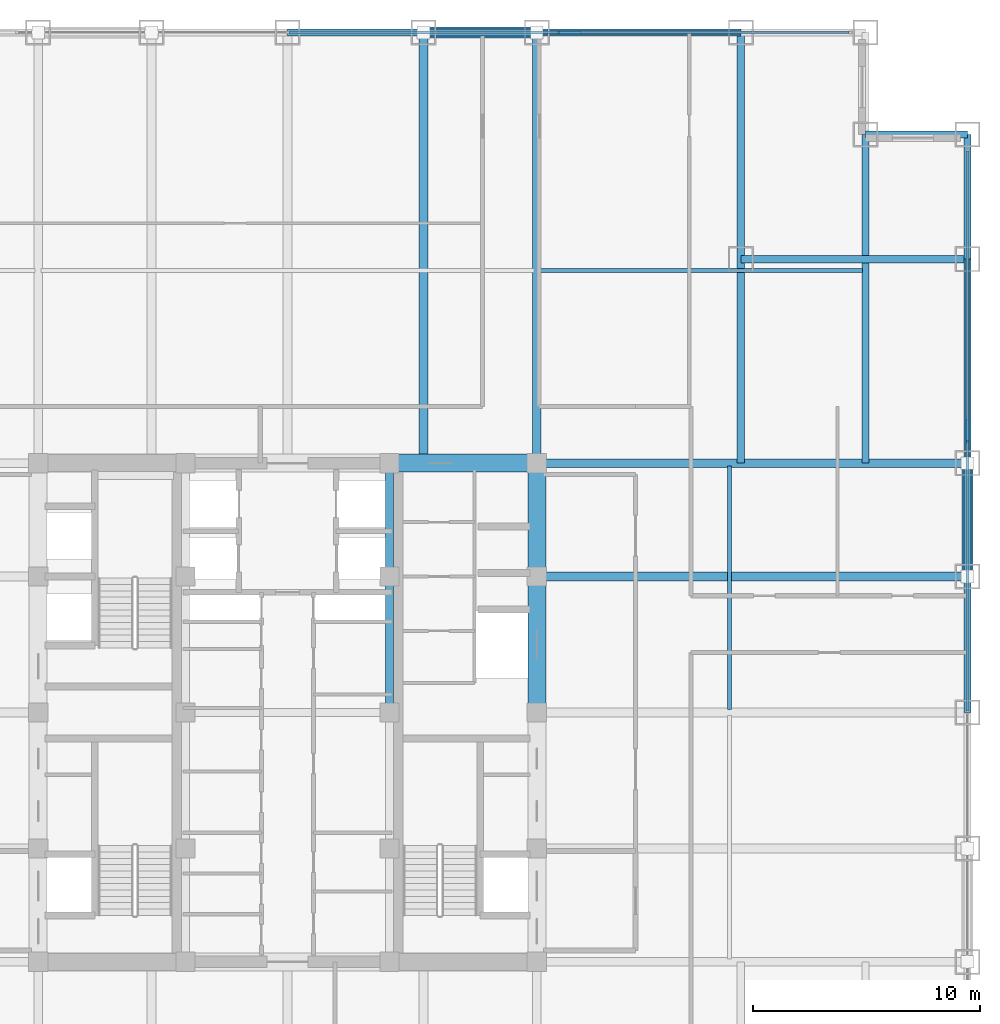
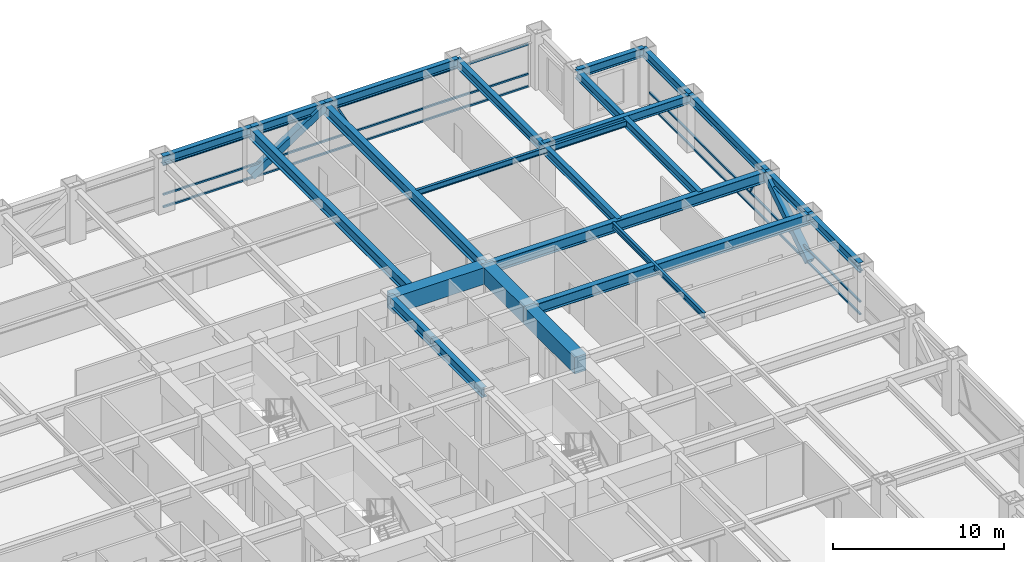
# One storey, part 17 of 25: 22 beams, 10 members, 2 elements without a shape of their own.
"""IFC4 building model written with IfcOpenShell, lengths in metres."""

import ifcopenshell
import ifcopenshell.guid

model = None  # the IFC model being written
_history = None  # IfcOwnerHistory: only IFC2X3 demands one
_inside = {}  # id of a spatial element -> (the spatial element, [elements in it])
_under = {}  # id of a project, library or spatial element -> (it, [spatial elements below it])
_declared = {}  # id of a project -> (the project, [libraries it declares])
_typed = {}  # id of a type object -> (the type object, [elements of that type])
_made_of = {}  # id of a material, layer set ... -> (it, [elements and type objects made of it])


def new_model(schema):
    """Start an empty IFC model of exactly this schema.

    Asked for "IFC4X3", IfcOpenShell would pick the latest addendum, in which some entities
    have other attributes; the version numbers below select the first issue.
    IFC2X3 requires an IfcOwnerHistory on every rooted entity: one is made here for all.
    """
    global model, _history
    if schema == "IFC4X3":
        model = ifcopenshell.file(schema_version=(4, 3, 0, 0))
    else:
        model = ifcopenshell.file(schema=schema)
    _inside.clear()
    _under.clear()
    _declared.clear()
    _typed.clear()
    _made_of.clear()
    _history = None
    if model.schema == "IFC2X3":
        org = make("IfcOrganization", Name="unknown")
        user = make(
            "IfcPersonAndOrganization",
            ThePerson=make("IfcPerson", FamilyName="unknown"),
            TheOrganization=org,
        )
        app = make(
            "IfcApplication",
            ApplicationDeveloper=org,
            Version="unknown",
            ApplicationFullName="unknown",
            ApplicationIdentifier="unknown",
        )
        _history = make(
            "IfcOwnerHistory",
            OwningUser=user,
            OwningApplication=app,
            ChangeAction="ADDED",
            CreationDate=0,
        )
    return model


def make(cls, **values):
    """One entity of the class cls with the attributes given. An attribute that is None is left unset."""
    return model.create_entity(
        cls, **{name: value for name, value in values.items() if value is not None}
    )


def rooted(cls, **values):
    """An entity with a GlobalId (a new one), such as an element, a storey or a relation."""
    return make(cls, GlobalId=ifcopenshell.guid.new(), OwnerHistory=_history, **values)


def si_unit(unit_type, name, prefix=None):
    """IfcSIUnit, for example si_unit("LENGTHUNIT", "METRE", prefix="MILLI")."""
    return make("IfcSIUnit", UnitType=unit_type, Prefix=prefix, Name=name)


def assignment(units):
    """IfcUnitAssignment: the units of a project."""
    return None if units is None else make("IfcUnitAssignment", Units=units)


def point(xyz):
    """IfcCartesianPoint."""
    return None if xyz is None else make("IfcCartesianPoint", Coordinates=xyz)


def direction(xyz):
    """IfcDirection."""
    return None if xyz is None else make("IfcDirection", DirectionRatios=xyz)


def frame(location, z_axis=None, x_axis=None):
    """IfcAxis2Placement3D, a coordinate frame: its origin and axes. An axis left out is left unset."""
    return make(
        "IfcAxis2Placement3D",
        Location=point(location),
        Axis=direction(z_axis),
        RefDirection=direction(x_axis),
    )


def frame_2d(location, x_axis=None):
    """IfcAxis2Placement2D, a coordinate frame in the plane: its origin and x axis."""
    return make(
        "IfcAxis2Placement2D", Location=point(location), RefDirection=direction(x_axis)
    )


def origin():
    """The frame at (0, 0, 0) with its axes left unset."""
    return frame((0.0, 0.0, 0.0))


def origin_2d():
    """The frame at (0, 0) in the plane with its x axis left unset."""
    return frame_2d((0.0, 0.0))


def place(relative_to, where):
    """IfcLocalPlacement: puts the frame where relative to a parent placement (None: the world)."""
    return make(
        "IfcLocalPlacement", PlacementRelTo=relative_to, RelativePlacement=where
    )


def context(
    kind, dimensions, precision=None, world=None, true_north=None, identifier=None
):
    """IfcGeometricRepresentationContext, for example the 3D "Model" context."""
    return make(
        "IfcGeometricRepresentationContext",
        ContextIdentifier=identifier,
        ContextType=kind,
        CoordinateSpaceDimension=dimensions,
        Precision=precision,
        WorldCoordinateSystem=world,
        TrueNorth=true_north,
    )


def subcontext(parent, identifier, kind, view, scale=None):
    """IfcGeometricRepresentationSubContext, for example "Body" below "Model"."""
    return make(
        "IfcGeometricRepresentationSubContext",
        ContextIdentifier=identifier,
        ContextType=kind,
        ParentContext=parent,
        TargetScale=scale,
        TargetView=view,
    )


def project(units=None, contexts=None):
    """IfcProject with its units and contexts."""
    return rooted(
        "IfcProject",
        Name="project",
        RepresentationContexts=contexts,
        UnitsInContext=assignment(units),
    )


def spatial(cls, under=None, at=None, **own):
    """A site, building, storey or space (cls), placed at a placement, below another one or the project."""
    s = rooted(cls, ObjectPlacement=at, **own)
    if under is not None:
        _under.setdefault(under.id(), (under, []))[1].append(s)
    return s


def profile(cls, at=None, kind="AREA", **sizes):
    """A parametric profile (cls). Its sizes go by their IFC names, for example OverallWidth=200.0."""
    return make(cls, ProfileType=kind, Position=at, **sizes)


def rectangle(**sizes):
    """IfcRectangleProfileDef."""
    return profile("IfcRectangleProfileDef", **sizes)


def hollow_rectangle(**sizes):
    """IfcRectangleHollowProfileDef."""
    return profile("IfcRectangleHollowProfileDef", **sizes)


def i_section(**sizes):
    """IfcIShapeProfileDef."""
    return profile("IfcIShapeProfileDef", **sizes)


def extrude(swept, where, along, depth):
    """IfcExtrudedAreaSolid: the profile swept, set in the frame where, extruded along a direction by depth."""
    return make(
        "IfcExtrudedAreaSolid",
        SweptArea=swept,
        Position=where,
        ExtrudedDirection=direction(along),
        Depth=depth,
    )


def shape(context_of_items, identifier, shape_type, items):
    """IfcShapeRepresentation: the items that make up one representation, for example the "Body"."""
    return make(
        "IfcShapeRepresentation",
        ContextOfItems=context_of_items,
        RepresentationIdentifier=identifier,
        RepresentationType=shape_type,
        Items=items,
    )


def source(mapping_origin, context_of_items, identifier, shape_type, items):
    """IfcRepresentationMap: a shape defined once, which mapped items show again and again."""
    return make(
        "IfcRepresentationMap",
        MappingOrigin=mapping_origin,
        MappedRepresentation=shape(context_of_items, identifier, shape_type, items),
    )


def transform(
    local_origin,
    x_axis=None,
    y_axis=None,
    z_axis=None,
    scale=None,
    scale2=None,
    scale3=None,
    uniform=True,
):
    """IfcCartesianTransformationOperator3D, or its non-uniform kind. x_axis, y_axis, z_axis: its Axis1, 2, 3."""
    if uniform:
        return make(
            "IfcCartesianTransformationOperator3D",
            Axis1=direction(x_axis),
            Axis2=direction(y_axis),
            LocalOrigin=point(local_origin),
            Scale=scale,
            Axis3=direction(z_axis),
        )
    return make(
        "IfcCartesianTransformationOperator3DnonUniform",
        Axis1=direction(x_axis),
        Axis2=direction(y_axis),
        LocalOrigin=point(local_origin),
        Scale=scale,
        Axis3=direction(z_axis),
        Scale2=scale2,
        Scale3=scale3,
    )


def mapped(mapping_source, mapping_target):
    """IfcMappedItem: shows the shape of a source again, moved by a transform."""
    return make(
        "IfcMappedItem", MappingSource=mapping_source, MappingTarget=mapping_target
    )


def material(Name=None, Category=None):
    """IfcMaterial."""
    return make("IfcMaterial", Name=Name, Category=Category)


def material_profile(
    of_material, cross_section, Name=None, Category=None, Priority=None
):
    """IfcMaterialProfile: a cross section and its material."""
    return make(
        "IfcMaterialProfile",
        Name=Name,
        Material=of_material,
        Profile=cross_section,
        Priority=Priority,
        Category=Category,
    )


def profile_set(profiles, Name=None, composite=None):
    """IfcMaterialProfileSet."""
    return make(
        "IfcMaterialProfileSet",
        Name=Name,
        MaterialProfiles=profiles,
        CompositeProfile=composite,
    )


def made_of(thing, what):
    """Note that an element or type object is made of a material, layer set ...; save() writes the relation."""
    if what is not None:
        _made_of.setdefault(what.id(), (what, []))[1].append(thing)
    return thing


def type_object(cls, material=None, **own):
    """A type object (cls), such as IfcWallType, which elements share."""
    return made_of(rooted(cls, **own), material)


def element(
    cls,
    number,
    at=None,
    inside=None,
    cuts=None,
    type_object=None,
    material=None,
    context=None,
    identifier="Body",
    shape_type=None,
    held_by="IfcProductDefinitionShape",
    body=None,
    shapes=None,
    **own,
):
    """One element of the class cls, such as IfcWall. Its Tag is "e" and its number.

    at: its placement. inside: the storey or other place that contains it. cuts: it is an
    opening in that element (IfcRelVoidsElement). A single representation is given by context,
    identifier, shape_type and body (its items); several are given by shapes. held_by: the class
    of the entity that holds the representations. save() writes the other relations.
    """
    e = rooted(cls, Tag="e%d" % number, ObjectPlacement=at, **own)
    if body is not None:
        shapes = [shape(context, identifier, shape_type, body)]
    if shapes is not None:
        e.Representation = make(held_by, Representations=shapes)
    if inside is not None:
        _inside.setdefault(inside.id(), (inside, []))[1].append(e)
    if cuts is not None:
        rooted(
            "IfcRelVoidsElement", RelatingBuildingElement=cuts, RelatedOpeningElement=e
        )
    if type_object is not None:
        _typed.setdefault(type_object.id(), (type_object, []))[1].append(e)
    return made_of(e, material)


def aggregate(whole, parts):
    """IfcRelAggregates: a whole, such as a stair, and the parts it consists of."""
    return rooted("IfcRelAggregates", RelatingObject=whole, RelatedObjects=parts)


def save(model, path):
    """Write the relations noted so far, then the file.

    IfcRelAggregates (storeys below a building ...), IfcRelContainedInSpatialStructure (elements
    in a storey), IfcRelDefinesByType, IfcRelAssociatesMaterial and IfcRelDeclares: one each for
    every whole, place, type object, material and project.
    """
    for whole, parts in _under.values():
        aggregate(whole, parts)
    for where, things in _inside.values():
        rooted(
            "IfcRelContainedInSpatialStructure",
            RelatedElements=things,
            RelatingStructure=where,
        )
    for kind, things in _typed.values():
        rooted("IfcRelDefinesByType", RelatedObjects=things, RelatingType=kind)
    for what, things in _made_of.values():
        rooted("IfcRelAssociatesMaterial", RelatedObjects=things, RelatingMaterial=what)
    for by, libraries in _declared.values():
        rooted("IfcRelDeclares", RelatingContext=by, RelatedDefinitions=libraries)
    model.write(path)


model = new_model("IFC4")

# Units and contexts
model_context = context("Model", 3, precision=1e-05, world=origin(), true_north=direction((0.0, 1.0)))
body_context = subcontext(model_context, "Body", "Model", "MODEL_VIEW")
ifc_project = project(units=[si_unit("LENGTHUNIT", "METRE"), si_unit("AREAUNIT", "SQUARE_METRE"), si_unit("VOLUMEUNIT", "CUBIC_METRE"), si_unit("PLANEANGLEUNIT", "RADIAN"), si_unit("MASSUNIT", "GRAM", prefix="KILO")], contexts=[model_context])

# Site, building, storey
site_placement = place(None, origin())
site = spatial("IfcSite", under=ifc_project, at=site_placement, CompositionType="ELEMENT")
building_placement = place(site_placement, origin())
building = spatial("IfcBuilding", under=site, at=building_placement, Name="Khorayat Bourse Tower", CompositionType="ELEMENT")
storey_placement = place(building_placement, frame((0.0, 0.0, 199.10009765625)))
storey = spatial("IfcBuildingStorey", under=building, at=storey_placement, Name="L46", CompositionType="ELEMENT", Elevation=199.10009765625)

# Beams
ifc_material_1 = material(Name="Concrete C72/90", Category="concrete")
ifc_material_profile_1 = material_profile(ifc_material_1, rectangle(XDim=0.800048828125, YDim=1.199951171875, at=origin_2d()), Name="RC 800x1200")
ifc_profile_set_1 = profile_set([ifc_material_profile_1], Name="Concrete C72/90")
beam_type_1 = type_object("IfcBeamType", Name="BM-COUP-1200", PredefinedType="BEAM", material=ifc_profile_set_1)
shared_shape_1 = source(origin(), body_context, "Body", "SweptSolid", [
    extrude(rectangle(XDim=0.800048828125, YDim=1.199951171875, at=origin_2d()), origin(), (0.0, 0.0, 1.0), 5.0),
])
beam_1_placement = place(storey_placement, frame((11.0, 6.0, 3.179931640625), z_axis=(0.0, 1.0, 0.0), x_axis=(-1.0, 0.0, 0.0)))
element("IfcBeam", 1, at=beam_1_placement, inside=storey, type_object=beam_type_1, Name="L46 BM-COUP-1200 BM-L46-CRX-16", PredefinedType="BEAM", context=body_context, shape_type="MappedRepresentation", body=[
    mapped(shared_shape_1, transform((0.0, 0.0, 0.0), scale=1.0)),
])
shared_shape_2 = source(origin(), body_context, "Body", "SweptSolid", [
    extrude(rectangle(XDim=0.800048828125, YDim=1.199951171875, at=origin_2d()), origin(), (0.0, 0.0, 1.0), 6.0),
])
beam_2_placement = place(storey_placement, frame((11.0, 0.0, 3.179931640625), z_axis=(0.0, 1.0, 0.0), x_axis=(-1.0, 0.0, 0.0)))
element("IfcBeam", 2, at=beam_2_placement, inside=storey, type_object=beam_type_1, Name="L46 BM-COUP-1200 BM-L46-CRX-15", PredefinedType="BEAM", context=body_context, shape_type="MappedRepresentation", body=[
    mapped(shared_shape_2, transform((0.0, 0.0, 0.0), scale=1.0)),
])
ifc_material_2 = material(Name="Steel ASTM A992 Grade 50", Category="steel")
ifc_material_profile_2 = material_profile(ifc_material_2, i_section(OverallWidth=0.35498046875, OverallDepth=0.695068359375, WebThickness=0.015380859375, FlangeThickness=0.02490234375, FilletRadius=0.01806640625, at=origin_2d()), Name="W690X217")
ifc_profile_set_2 = profile_set([ifc_material_profile_2], Name="Steel ASTM A992 Grade 50")
beam_type_2 = type_object("IfcBeamType", Name="BM-GIRD-690", PredefinedType="BEAM", material=ifc_profile_set_2)
shared_shape_3 = source(origin(), body_context, "Body", "SweptSolid", [
    extrude(i_section(OverallWidth=0.35498046875, OverallDepth=0.695068359375, WebThickness=0.015380859375, FlangeThickness=0.02490234375, FilletRadius=0.01806640625, at=origin_2d()), origin(), (0.0, 0.0, 1.0), 5.0),
])
beam_3_placement = place(storey_placement, frame((4.5, 6.0, 3.432373046875), z_axis=(0.0, 1.0, 0.0), x_axis=(-1.0, 0.0, 0.0)))
element("IfcBeam", 3, at=beam_3_placement, inside=storey, type_object=beam_type_2, Name="L46 BM-GIRD-690 BM-L46-CRX-12", PredefinedType="BEAM", context=body_context, shape_type="MappedRepresentation", body=[
    mapped(shared_shape_3, transform((0.0, 0.0, 0.0), scale=1.0)),
])
shared_shape_4 = source(origin(), body_context, "Body", "SweptSolid", [
    extrude(i_section(OverallWidth=0.35498046875, OverallDepth=0.695068359375, WebThickness=0.015380859375, FlangeThickness=0.02490234375, FilletRadius=0.01806640625, at=origin_2d()), origin(), (0.0, 0.0, 1.0), 6.0),
])
beam_4_placement = place(storey_placement, frame((4.5, 0.0, 3.432373046875), z_axis=(0.0, 1.0, 0.0), x_axis=(-1.0, 0.0, 0.0)))
element("IfcBeam", 4, at=beam_4_placement, inside=storey, type_object=beam_type_2, Name="L46 BM-GIRD-690 BM-L46-CRX-11", PredefinedType="BEAM", context=body_context, shape_type="MappedRepresentation", body=[
    mapped(shared_shape_4, transform((0.0, 0.0, 0.0), scale=1.0)),
])
shared_shape_5 = source(origin(), body_context, "Body", "SweptSolid", [
    extrude(rectangle(XDim=0.800048828125, YDim=1.199951171875, at=origin_2d()), origin(), (0.0, 0.0, 1.0), 6.5),
])
beam_5_placement = place(storey_placement, frame((4.5, 11.0, 3.179931640625), z_axis=(1.0, 0.0, 0.0), x_axis=(0.0, 1.0, 0.0)))
element("IfcBeam", 5, at=beam_5_placement, inside=storey, type_object=beam_type_1, Name="L46 BM-COUP-1200 BM-L46-CRY-22", PredefinedType="BEAM", context=body_context, shape_type="MappedRepresentation", body=[
    mapped(shared_shape_5, transform((0.0, 0.0, 0.0), scale=1.0)),
])
ifc_material_profile_3 = material_profile(ifc_material_2, i_section(OverallWidth=0.381103515625, OverallDepth=0.77294921875, WebThickness=0.0166015625, FlangeThickness=0.027587890625, FilletRadius=0.01806640625, at=origin_2d()), Name="W760X257")
ifc_profile_set_3 = profile_set([ifc_material_profile_3], Name="Steel ASTM A992 Grade 50")
beam_type_3 = type_object("IfcBeamType", Name="BM-GIRD-760", PredefinedType="BEAM", material=ifc_profile_set_3)
shared_shape_6 = source(origin(), body_context, "Body", "SweptSolid", [
    extrude(i_section(OverallWidth=0.381103515625, OverallDepth=0.77294921875, WebThickness=0.0166015625, FlangeThickness=0.027587890625, FilletRadius=0.01806640625, at=origin_2d()), origin(), (0.0, 0.0, 1.0), 19.0),
])
for number, where, z_axis, x_axis, name in (
    (6, (6.0, 11.0, 3.393310546875), (0.0, 1.0, 0.0), (-1.0, 0.0, 0.0), "L46 BM-GIRD-760 BM-L46-RADY-070"),
    (7, (11.0, 11.0, 3.393310546875), (0.0, 1.0, 0.0), (-1.0, 0.0, 0.0), "L46 BM-GIRD-760 BM-L46-RADY-072"),
    (8, (11.0, 6.0, 3.393310546875), (1.0, 0.0, 0.0), (0.0, 1.0, 0.0), "L46 BM-GIRD-760 BM-L46-RADX-080"),
    (9, (11.0, 11.0, 3.393310546875), (1.0, 0.0, 0.0), (0.0, 1.0, 0.0), "L46 BM-GIRD-760 BM-L46-RADX-082"),
):
    element("IfcBeam", number, at=place(storey_placement, frame(where, z_axis=z_axis, x_axis=x_axis)), inside=storey, type_object=beam_type_3, Name=name, PredefinedType="BEAM", context=body_context, shape_type="MappedRepresentation", body=[
        mapped(shared_shape_6, transform((0.0, 0.0, 0.0), scale=1.0)),
    ])
ifc_material_profile_4 = material_profile(ifc_material_2, i_section(OverallWidth=0.324951171875, OverallDepth=0.615966796875, WebThickness=0.013916015625, FlangeThickness=0.021484375, FilletRadius=0.01611328125, at=origin_2d()), Name="W610X174")
ifc_profile_set_4 = profile_set([ifc_material_profile_4], Name="Steel ASTM A992 Grade 50")
beam_type_4 = type_object("IfcBeamType", Name="BM-GIRD-610", PredefinedType="BEAM", material=ifc_profile_set_4)
shared_shape_7 = source(origin(), body_context, "Body", "SweptSolid", [
    extrude(i_section(OverallWidth=0.324951171875, OverallDepth=0.615966796875, WebThickness=0.013916015625, FlangeThickness=0.021484375, FilletRadius=0.01611328125, at=origin_2d()), origin(), (0.0, 0.0, 1.0), 19.0),
])
beam_6_placement = place(storey_placement, frame((20.0, 11.0, 3.471923828125), z_axis=(0.0, 1.0, 0.0), x_axis=(-1.0, 0.0, 0.0)))
element("IfcBeam", 10, at=beam_6_placement, inside=storey, type_object=beam_type_4, Name="L46 BM-GIRD-610 BM-L46-CNRY-087", PredefinedType="BEAM", context=body_context, shape_type="MappedRepresentation", body=[
    mapped(shared_shape_7, transform((0.0, 0.0, 0.0), scale=1.0)),
])
shared_shape_8 = source(origin(), body_context, "Body", "SweptSolid", [
    extrude(i_section(OverallWidth=0.324951171875, OverallDepth=0.615966796875, WebThickness=0.013916015625, FlangeThickness=0.021484375, FilletRadius=0.01611328125, at=origin_2d()), origin(), (0.0, 0.0, 1.0), 14.5),
])
beam_7_placement = place(storey_placement, frame((25.5, 11.0, 3.471923828125), z_axis=(0.0, 1.0, 0.0), x_axis=(-1.0, 0.0, 0.0)))
element("IfcBeam", 11, at=beam_7_placement, inside=storey, type_object=beam_type_4, Name="L46 BM-GIRD-610 BM-L46-CNRY-091", PredefinedType="BEAM", context=body_context, shape_type="MappedRepresentation", body=[
    mapped(shared_shape_8, transform((0.0, 0.0, 0.0), scale=1.0)),
])
shared_shape_9 = source(origin(), body_context, "Body", "SweptSolid", [
    extrude(i_section(OverallWidth=0.324951171875, OverallDepth=0.615966796875, WebThickness=0.013916015625, FlangeThickness=0.021484375, FilletRadius=0.01611328125, at=origin_2d()), origin(), (0.0, 0.0, 1.0), 10.0),
])
beam_8_placement = place(storey_placement, frame((20.0, 20.0, 3.471923828125), z_axis=(1.0, 0.0, 0.0), x_axis=(0.0, 1.0, 0.0)))
element("IfcBeam", 12, at=beam_8_placement, inside=storey, type_object=beam_type_4, Name="L46 BM-GIRD-610 BM-L46-CNRX-094", PredefinedType="BEAM", context=body_context, shape_type="MappedRepresentation", body=[
    mapped(shared_shape_9, transform((0.0, 0.0, 0.0), scale=1.0)),
])
ifc_material_profile_5 = material_profile(ifc_material_2, i_section(OverallWidth=0.180908203125, OverallDepth=0.4169921875, WebThickness=0.010986328125, FlangeThickness=0.018310546875, FilletRadius=0.011962890625, at=origin_2d()), Name="W410X85")
ifc_profile_set_5 = profile_set([ifc_material_profile_5], Name="Steel ASTM A992 Grade 50")
beam_type_5 = type_object("IfcBeamType", Name="BM-JOIST-410", PredefinedType="JOIST", material=ifc_profile_set_5)
shared_shape_10 = source(origin(), body_context, "Body", "SweptSolid", [
    extrude(i_section(OverallWidth=0.180908203125, OverallDepth=0.4169921875, WebThickness=0.010986328125, FlangeThickness=0.018310546875, FilletRadius=0.011962890625, at=origin_2d()), origin(), (0.0, 0.0, 1.0), 14.240234375),
])
beam_9_placement = place(storey_placement, frame((11.1298828125, 19.5, 3.5712890625), z_axis=(1.0, 0.0, 0.0), x_axis=(0.0, 1.0, 0.0)))
element("IfcBeam", 13, at=beam_9_placement, inside=storey, type_object=beam_type_5, Name="L46 BM-JOIST-410 BM-L46-JSTX-101", PredefinedType="JOIST", context=body_context, shape_type="MappedRepresentation", body=[
    mapped(shared_shape_10, transform((0.0, 0.0, 0.0), scale=1.0)),
])
shared_shape_11 = source(origin(), body_context, "Body", "SweptSolid", [
    extrude(i_section(OverallWidth=0.180908203125, OverallDepth=0.4169921875, WebThickness=0.010986328125, FlangeThickness=0.018310546875, FilletRadius=0.011962890625, at=origin_2d()), origin(), (0.0, 0.0, 1.0), 10.740234375),
])
beam_10_placement = place(storey_placement, frame((19.5, 0.1298828125, 3.5712890625), z_axis=(0.0, 1.0, 0.0), x_axis=(-1.0, 0.0, 0.0)))
element("IfcBeam", 14, at=beam_10_placement, inside=storey, type_object=beam_type_5, Name="L46 BM-JOIST-410 BM-L46-JSTY-105", PredefinedType="JOIST", context=body_context, shape_type="MappedRepresentation", body=[
    mapped(shared_shape_11, transform((0.0, 0.0, 0.0), scale=1.0)),
])
ifc_material_profile_6 = material_profile(ifc_material_2, i_section(OverallWidth=0.324951171875, OverallDepth=0.615966796875, WebThickness=0.013916015625, FlangeThickness=0.021484375, FilletRadius=0.01611328125, at=origin_2d()), Name="W610X174")
ifc_profile_set_6 = profile_set([ifc_material_profile_6], Name="Steel ASTM A992 Grade 50")
beam_type_6 = type_object("IfcBeamType", Name="BM-SPAN-610", PredefinedType="SPANDREL", material=ifc_profile_set_6)
shared_shape_12 = source(origin(), body_context, "Body", "SweptSolid", [
    extrude(i_section(OverallWidth=0.324951171875, OverallDepth=0.615966796875, WebThickness=0.013916015625, FlangeThickness=0.021484375, FilletRadius=0.01611328125, at=origin_2d()), origin(), (0.0, 0.0, 1.0), 5.5),
])
beam_11_placement = place(storey_placement, frame((30.0, 20.0, 3.471923828125), z_axis=(0.0, 1.0, 0.0), x_axis=(-1.0, 0.0, 0.0)))
element("IfcBeam", 15, at=beam_11_placement, inside=storey, type_object=beam_type_6, Name="L46 BM-SPAN-610 BM-L46-SPN-041", PredefinedType="SPANDREL", context=body_context, shape_type="MappedRepresentation", body=[
    mapped(shared_shape_12, transform((0.0, 0.0, 0.0), scale=1.0)),
])
shared_shape_13 = source(origin(), body_context, "Body", "SweptSolid", [
    extrude(i_section(OverallWidth=0.324951171875, OverallDepth=0.615966796875, WebThickness=0.013916015625, FlangeThickness=0.021484375, FilletRadius=0.01611328125, at=origin_2d()), origin(), (0.0, 0.0, 1.0), 9.0),
])
for number, where, z_axis, x_axis, name in (
    (16, (30.0, 11.0, 3.471923828125), (0.0, 1.0, 0.0), (-1.0, 0.0, 0.0), "L46 BM-SPAN-610 BM-L46-SPN-040"),
    (17, (11.0, 30.0, 3.471923828125), (1.0, 0.0, 0.0), (0.0, 1.0, 0.0), "L46 BM-SPAN-610 BM-L46-SPN-045"),
):
    element("IfcBeam", number, at=place(storey_placement, frame(where, z_axis=z_axis, x_axis=x_axis)), inside=storey, type_object=beam_type_6, Name=name, PredefinedType="SPANDREL", context=body_context, shape_type="MappedRepresentation", body=[
        mapped(shared_shape_13, transform((0.0, 0.0, 0.0), scale=1.0)),
    ])
shared_shape_14 = source(origin(), body_context, "Body", "SweptSolid", [
    extrude(i_section(OverallWidth=0.324951171875, OverallDepth=0.615966796875, WebThickness=0.013916015625, FlangeThickness=0.021484375, FilletRadius=0.01611328125, at=origin_2d()), origin(), (0.0, 0.0, 1.0), 5.0),
])
for number, where, z_axis, x_axis, name in (
    (18, (30.0, 6.0, 3.471923828125), (0.0, 1.0, 0.0), (-1.0, 0.0, 0.0), "L46 BM-SPAN-610 BM-L46-SPN-039"),
    (19, (6.0, 30.0, 3.471923828125), (1.0, 0.0, 0.0), (0.0, 1.0, 0.0), "L46 BM-SPAN-610 BM-L46-SPN-046"),
):
    element("IfcBeam", number, at=place(storey_placement, frame(where, z_axis=z_axis, x_axis=x_axis)), inside=storey, type_object=beam_type_6, Name=name, PredefinedType="SPANDREL", context=body_context, shape_type="MappedRepresentation", body=[
        mapped(shared_shape_14, transform((0.0, 0.0, 0.0), scale=1.0)),
    ])
shared_shape_15 = source(origin(), body_context, "Body", "SweptSolid", [
    extrude(i_section(OverallWidth=0.324951171875, OverallDepth=0.615966796875, WebThickness=0.013916015625, FlangeThickness=0.021484375, FilletRadius=0.01611328125, at=origin_2d()), origin(), (0.0, 0.0, 1.0), 6.0),
])
for number, where, z_axis, x_axis, name in (
    (20, (30.0, 0.0, 3.471923828125), (0.0, 1.0, 0.0), (-1.0, 0.0, 0.0), "L46 BM-SPAN-610 BM-L46-SPN-038"),
    (21, (0.0, 30.0, 3.471923828125), (1.0, 0.0, 0.0), (0.0, 1.0, 0.0), "L46 BM-SPAN-610 BM-L46-SPN-047"),
):
    element("IfcBeam", number, at=place(storey_placement, frame(where, z_axis=z_axis, x_axis=x_axis)), inside=storey, type_object=beam_type_6, Name=name, PredefinedType="SPANDREL", context=body_context, shape_type="MappedRepresentation", body=[
        mapped(shared_shape_15, transform((0.0, 0.0, 0.0), scale=1.0)),
    ])
shared_shape_16 = source(origin(), body_context, "Body", "SweptSolid", [
    extrude(i_section(OverallWidth=0.324951171875, OverallDepth=0.615966796875, WebThickness=0.013916015625, FlangeThickness=0.021484375, FilletRadius=0.01611328125, at=origin_2d()), origin(), (0.0, 0.0, 1.0), 4.5),
])
beam_12_placement = place(storey_placement, frame((25.5, 25.5, 3.471923828125), z_axis=(1.0, 0.0, 0.0), x_axis=(0.0, 1.0, 0.0)))
element("IfcBeam", 22, at=beam_12_placement, inside=storey, type_object=beam_type_6, Name="L46 BM-SPAN-610 BM-L46-SPN-042", PredefinedType="SPANDREL", context=body_context, shape_type="MappedRepresentation", body=[
    mapped(shared_shape_16, transform((0.0, 0.0, 0.0), scale=1.0)),
])

# Members
ifc_material_3 = material(Name="Steel EN 10025-4 S460M", Category="steel")
ifc_material_profile_7 = material_profile(ifc_material_3, hollow_rectangle(XDim=0.5, YDim=0.5, WallThickness=0.028076171875, at=origin_2d()), Name="HSS 500x500x28")
ifc_profile_set_7 = profile_set([ifc_material_profile_7], Name="Steel EN 10025-4 S460M")
member_type_1 = type_object("IfcMemberType", Name="MBR-TUBE-500", PredefinedType="BRACE", material=ifc_profile_set_7)
shared_shape_17 = source(origin(), body_context, "Body", "SweptSolid", [
    extrude(hollow_rectangle(XDim=0.5, YDim=0.5, WallThickness=0.028076171875, at=origin_2d()), origin(), (0.0, 0.0, 1.0), 5.979736328125),
])
for number, where, z_axis, x_axis, name in (
    (23, (6.0, 30.0, 0.25), (0.836160261256, 0.0, 0.548485202623), (0.0, 1.0, 0.0), "L46 Perimeter Tube Brace 04"),
    (24, (30.0, 6.0, 0.25), (0.0, 0.836160261256, 0.548485202623), (-1.0, 0.0, 0.0), "L46 Perimeter Tube Brace 08"),
):
    element("IfcMember", number, at=place(storey_placement, frame(where, z_axis=z_axis, x_axis=x_axis)), inside=storey, type_object=member_type_1, Name=name, PredefinedType="BRACE", context=body_context, shape_type="MappedRepresentation", body=[
        mapped(shared_shape_17, transform((0.0, 0.0, 0.0), scale=1.0)),
    ])

# Curtain wall, member
ifc_material_4 = material(Name="Aluminium EN AW-6063 T6", Category="aluminium")
curtain_wall_type = type_object("IfcCurtainWallType", Name="CW-SYS-03", PredefinedType="NOTDEFINED", material=ifc_material_4)
curtain_wall_1_placement = place(storey_placement, origin())
curtain_wall_1 = element("IfcCurtainWall", 25, at=curtain_wall_1_placement, inside=storey, type_object=curtain_wall_type, Name="L46 Curtain Wall CW-L46-N1", PredefinedType="NOTDEFINED")
ifc_material_profile_8 = material_profile(ifc_material_4, hollow_rectangle(XDim=0.1201171875, YDim=0.1201171875, WallThickness=0.0048828125, at=origin_2d()), Name="ALU 120x120x5")
ifc_profile_set_8 = profile_set([ifc_material_profile_8], Name="Aluminium EN AW-6063 T6")
member_type_2 = type_object("IfcMemberType", Name="CWM-DIAG-120", PredefinedType="MULLION", material=ifc_profile_set_8)
shared_shape_18 = source(origin(), body_context, "Body", "SweptSolid", [
    extrude(hollow_rectangle(XDim=0.1201171875, YDim=0.1201171875, WallThickness=0.0048828125, at=origin_2d()), origin(), (0.0, 0.0, 1.0), 2.079345703125),
])
member_1_placement = place(storey_placement, frame((12.904296875, 30.0, 1.08984375), z_axis=(-0.465760949701, 0.0, 0.884910581773), x_axis=(0.0, -1.0, 0.0)))
member_1 = element("IfcMember", 26, at=member_1_placement, type_object=member_type_2, Name="CW-L46-N1 Faceted Diagonal Mullion 2", PredefinedType="MULLION", context=body_context, shape_type="MappedRepresentation", body=[
    mapped(shared_shape_18, transform((0.0, 0.0, 0.0), scale=1.0)),
])

curtain_wall_2_placement = place(storey_placement, origin())
curtain_wall_2 = element("IfcCurtainWall", 27, at=curtain_wall_2_placement, inside=storey, type_object=curtain_wall_type, Name="L46 Curtain Wall CW-L46-E1", PredefinedType="NOTDEFINED")
member_2_placement = place(storey_placement, frame((30.0, 12.904296875, 1.08984375), z_axis=(0.0, -0.465760949701, 0.884910581773), x_axis=(1.0, 0.0, 0.0)))
member_2 = element("IfcMember", 28, at=member_2_placement, type_object=member_type_2, Name="CW-L46-E1 Faceted Diagonal Mullion 2", PredefinedType="MULLION", context=body_context, shape_type="MappedRepresentation", body=[
    mapped(shared_shape_18, transform((0.0, 0.0, 0.0), scale=1.0)),
])

# Member
ifc_material_profile_9 = material_profile(ifc_material_4, hollow_rectangle(XDim=0.1201171875, YDim=0.1201171875, WallThickness=0.0048828125, at=origin_2d()), Name="ALU 120x120x5")
ifc_profile_set_9 = profile_set([ifc_material_profile_9], Name="Aluminium EN AW-6063 T6")
member_type_3 = type_object("IfcMemberType", Name="CWT-HORZ-120", PredefinedType="USERDEFINED", material=ifc_profile_set_9)
shared_shape_19 = source(origin(), body_context, "Body", "SweptSolid", [
    extrude(hollow_rectangle(XDim=0.1201171875, YDim=0.1201171875, WallThickness=0.0048828125, at=origin_2d()), origin(), (0.0, 0.0, 1.0), 24.719970703125),
])
member_3_placement = place(storey_placement, frame((0.06005859375, 30.0, 0.059814453125), z_axis=(1.0, 0.0, 0.0), x_axis=(0.0, 1.0, 0.0)))
member_3 = element("IfcMember", 29, at=member_3_placement, type_object=member_type_3, Name="CW-L46-N1 Horizontal Transom 2-1", ObjectType="TRANSOM", PredefinedType="USERDEFINED", context=body_context, shape_type="MappedRepresentation", body=[
    mapped(shared_shape_19, transform((0.0, 0.0, 0.0), scale=1.0)),
])

member_4_placement = place(storey_placement, frame((0.06005859375, 30.0, 0.949951171875), z_axis=(1.0, 0.0, 0.0), x_axis=(0.0, 1.0, 0.0)))
member_4 = element("IfcMember", 30, at=member_4_placement, type_object=member_type_3, Name="CW-L46-N1 Horizontal Transom 2-2", ObjectType="TRANSOM", PredefinedType="USERDEFINED", context=body_context, shape_type="MappedRepresentation", body=[
    mapped(shared_shape_19, transform((0.0, 0.0, 0.0), scale=1.0)),
])

member_5_placement = place(storey_placement, frame((0.06005859375, 30.0, 3.06982421875), z_axis=(1.0, 0.0, 0.0), x_axis=(0.0, 1.0, 0.0)))
member_5 = element("IfcMember", 31, at=member_5_placement, type_object=member_type_3, Name="CW-L46-N1 Horizontal Transom 2-3", ObjectType="TRANSOM", PredefinedType="USERDEFINED", context=body_context, shape_type="MappedRepresentation", body=[
    mapped(shared_shape_19, transform((0.0, 0.0, 0.0), scale=1.0)),
])

aggregate(curtain_wall_1, [member_3, member_4, member_5, member_1])

member_6_placement = place(storey_placement, frame((30.0, 0.06005859375, 0.059814453125), z_axis=(0.0, 1.0, 0.0), x_axis=(-1.0, 0.0, 0.0)))
member_6 = element("IfcMember", 32, at=member_6_placement, type_object=member_type_3, Name="CW-L46-E1 Horizontal Transom 2-1", ObjectType="TRANSOM", PredefinedType="USERDEFINED", context=body_context, shape_type="MappedRepresentation", body=[
    mapped(shared_shape_19, transform((0.0, 0.0, 0.0), scale=1.0)),
])

member_7_placement = place(storey_placement, frame((30.0, 0.06005859375, 0.949951171875), z_axis=(0.0, 1.0, 0.0), x_axis=(-1.0, 0.0, 0.0)))
member_7 = element("IfcMember", 33, at=member_7_placement, type_object=member_type_3, Name="CW-L46-E1 Horizontal Transom 2-2", ObjectType="TRANSOM", PredefinedType="USERDEFINED", context=body_context, shape_type="MappedRepresentation", body=[
    mapped(shared_shape_19, transform((0.0, 0.0, 0.0), scale=1.0)),
])

member_8_placement = place(storey_placement, frame((30.0, 0.06005859375, 3.06982421875), z_axis=(0.0, 1.0, 0.0), x_axis=(-1.0, 0.0, 0.0)))
member_8 = element("IfcMember", 34, at=member_8_placement, type_object=member_type_3, Name="CW-L46-E1 Horizontal Transom 2-3", ObjectType="TRANSOM", PredefinedType="USERDEFINED", context=body_context, shape_type="MappedRepresentation", body=[
    mapped(shared_shape_19, transform((0.0, 0.0, 0.0), scale=1.0)),
])

aggregate(curtain_wall_2, [member_6, member_7, member_8, member_2])

save(model, "model.ifc")
